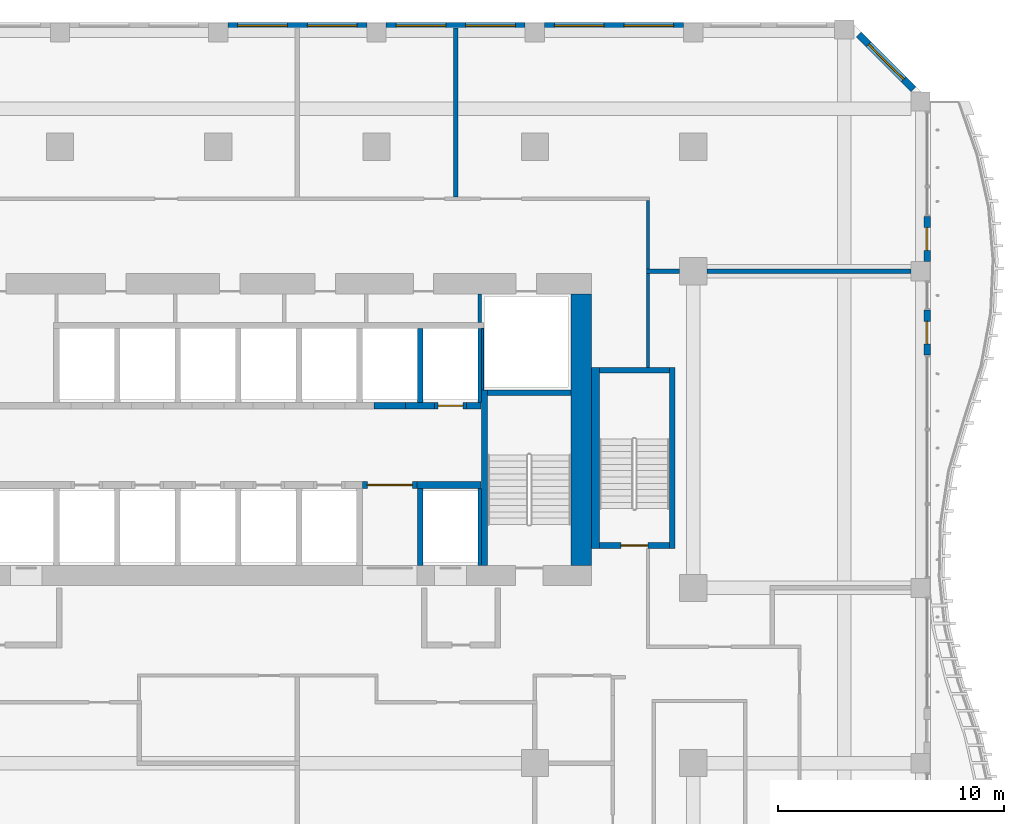
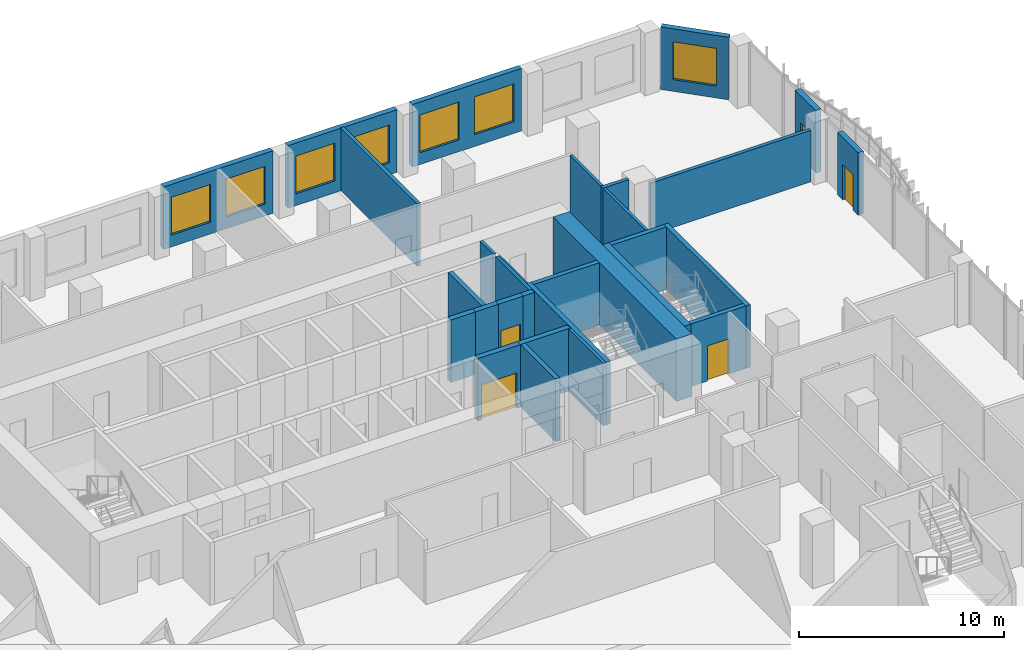
# One storey, part 15 of 25: 30 walls, 7 windows, 5 doors, 12 openings.
"""IFC4 building model written with IfcOpenShell, lengths in metres."""

from ifc_helpers import new_model, si_unit, direction, frame, frame_2d, origin, place, context, subcontext, project, spatial, rectangle, extrude, source, transform, mapped, material, layer, layer_set, type_object, element, fill, save


model = new_model("IFC4")

# Units and contexts
model_context = context("Model", 3, precision=1e-05, world=origin(), true_north=direction((0.0, 1.0)))
body_context = subcontext(model_context, "Body", "Model", "MODEL_VIEW")
ifc_project = project(units=[si_unit("LENGTHUNIT", "METRE"), si_unit("AREAUNIT", "SQUARE_METRE"), si_unit("VOLUMEUNIT", "CUBIC_METRE"), si_unit("PLANEANGLEUNIT", "RADIAN"), si_unit("MASSUNIT", "GRAM", prefix="KILO")], contexts=[model_context])

# Site, building, storey
site_placement = place(None, origin())
site = spatial("IfcSite", under=ifc_project, at=site_placement, CompositionType="ELEMENT")
building_placement = place(site_placement, origin())
building = spatial("IfcBuilding", under=site, at=building_placement, Name="Kilnfold Tower and Market Hall", CompositionType="ELEMENT")
storey_placement = place(building_placement, frame((0.0, 0.0, 120.60009765625)))
storey = spatial("IfcBuildingStorey", under=building, at=storey_placement, Name="L28", CompositionType="ELEMENT", Elevation=120.60009765625)

# Walls
ifc_material_1 = material(Name="Gypsum board on steel studs", Category="steel")
ifc_layer_1 = layer(ifc_material_1, 0.14990234375)
ifc_layer_set_1 = layer_set([ifc_layer_1], Name="Gypsum board on steel studs")
wall_type_1 = type_object("IfcWallType", Name="WALL CORRIDOR 150", PredefinedType="PARTITIONING", material=ifc_layer_set_1)
wall_1_placement = place(storey_placement, frame((20.5, 17.75, 0.0), z_axis=(0.0, 0.0, 1.0), x_axis=(0.0, 1.0, 0.0)))
element("IfcWall", 1, at=wall_1_placement, inside=storey, type_object=wall_type_1, Name="Partition LY17.31", PredefinedType="PARTITIONING", context=body_context, shape_type="SweptSolid", body=[
    extrude(rectangle(XDim=4.159912109375, YDim=0.14990234375, at=frame_2d((2.080078125, 0.0))), origin(), (0.0, 0.0, 1.0), 3.719970703125),
])
wall_2_placement = place(storey_placement, frame((20.5, 22.090087890625, 0.0), z_axis=(0.0, 0.0, 1.0), x_axis=(0.0, 1.0, 0.0)))
element("IfcWall", 2, at=wall_2_placement, inside=storey, type_object=wall_type_1, Name="Partition LY17.34", PredefinedType="PARTITIONING", context=body_context, shape_type="SweptSolid", body=[
    extrude(rectangle(XDim=3.034912109375, YDim=0.14990234375, at=frame_2d((1.517578125, 0.0))), origin(), (0.0, 0.0, 1.0), 3.719970703125),
])
ifc_material_2 = material(Name="Gypsum board on steel studs", Category="steel")
ifc_layer_2 = layer(ifc_material_2, 0.199951171875)
ifc_layer_set_2 = layer_set([ifc_layer_2], Name="Gypsum board on steel studs")
wall_type_2 = type_object("IfcWallType", Name="WALL PARTY 200", PredefinedType="PARTITIONING", material=ifc_layer_set_2)
wall_3_placement = place(storey_placement, frame((20.426025390625, 22.0, 0.0), z_axis=(0.0, 0.0, 1.0), x_axis=(1.0, 0.0, 0.0)))
element("IfcWall", 3, at=wall_3_placement, inside=storey, type_object=wall_type_2, Name="Partition LY17.66", PredefinedType="PARTITIONING", context=body_context, shape_type="SweptSolid", body=[
    extrude(rectangle(XDim=1.473876953125, YDim=0.199951171875, at=frame_2d((0.73681640625, 0.0))), origin(), (0.0, 0.0, 1.0), 3.719970703125),
])
wall_4_placement = place(storey_placement, frame((23.10009765625, 22.0, 0.0), z_axis=(0.0, 0.0, 1.0), x_axis=(1.0, 0.0, 0.0)))
element("IfcWall", 4, at=wall_4_placement, inside=storey, type_object=wall_type_2, Name="Partition LY17.67", PredefinedType="PARTITIONING", context=body_context, shape_type="SweptSolid", body=[
    extrude(rectangle(XDim=9.02490234375, YDim=0.199951171875, at=frame_2d((4.512451171875, 0.0))), origin(), (0.0, 0.0, 1.0), 3.06982421875),
])
wall_5_placement = place(storey_placement, frame((12.0, 25.27587890625, 0.0), z_axis=(0.0, 0.0, 1.0), x_axis=(0.0, 1.0, 0.0)))
element("IfcWall", 5, at=wall_5_placement, inside=storey, type_object=wall_type_2, Name="Partition LY17.68", PredefinedType="PARTITIONING", context=body_context, shape_type="SweptSolid", body=[
    extrude(rectangle(XDim=7.47412109375, YDim=0.199951171875, at=frame_2d((3.737060546875, 0.0))), origin(), (0.0, 0.0, 1.0), 3.719970703125),
])
ifc_material_3 = material(Name="Concrete C70", Category="concrete")
ifc_layer_3 = layer(ifc_material_3, 0.25)
ifc_layer_set_3 = layer_set([ifc_layer_3], Name="Concrete C70")
wall_type_3 = type_object("IfcWallType", Name="CORE WALL 250 C70", PredefinedType="SHEAR", material=ifc_layer_set_3)
shared_shape_1 = source(origin(), body_context, "Body", "SweptSolid", [
    extrude(rectangle(XDim=7.75, YDim=0.25, at=frame_2d((3.875, 0.0))), origin(), (0.0, 0.0, 1.0), 3.719970703125),
])
wall_6_placement = place(storey_placement, frame((13.27490234375, 9.0, 0.0), z_axis=(0.0, 0.0, 1.0), x_axis=(0.0, 1.0, 0.0)))
element("IfcWall", 6, at=wall_6_placement, inside=storey, type_object=wall_type_3, Name="Stair enclosure ST2", PredefinedType="SHEAR", context=body_context, shape_type="MappedRepresentation", body=[
    mapped(shared_shape_1, transform((0.0, 0.0, 0.0))),
])
shared_shape_2 = source(origin(), body_context, "Body", "SweptSolid", [
    extrude(rectangle(XDim=3.7001953125, YDim=0.25, at=frame_2d((1.85009765625, 0.0))), origin(), (0.0, 0.0, 1.0), 3.719970703125),
])
wall_7_placement = place(storey_placement, frame((13.39990234375, 16.625, 0.0), z_axis=(0.0, 0.0, 1.0), x_axis=(1.0, 0.0, 0.0)))
element("IfcWall", 7, at=wall_7_placement, inside=storey, type_object=wall_type_3, Name="Stair enclosure ST2", PredefinedType="SHEAR", context=body_context, shape_type="MappedRepresentation", body=[
    mapped(shared_shape_2, transform((0.0, 0.0, 0.0))),
])
shared_shape_3 = source(origin(), body_context, "Body", "SweptSolid", [
    extrude(rectangle(XDim=8.0, YDim=0.25, at=frame_2d((4.0, 0.0))), origin(), (0.0, 0.0, 1.0), 3.719970703125),
])
wall_8_placement = place(storey_placement, frame((21.574951171875, 9.75, 0.0), z_axis=(0.0, 0.0, 1.0), x_axis=(0.0, 1.0, 0.0)))
element("IfcWall", 8, at=wall_8_placement, inside=storey, type_object=wall_type_3, Name="Stair enclosure ST5", PredefinedType="SHEAR", context=body_context, shape_type="MappedRepresentation", body=[
    mapped(shared_shape_3, transform((0.0, 0.0, 0.0))),
])

# Wall, opening, door
shared_shape_4 = source(origin(), body_context, "Body", "SweptSolid", [
    extrude(rectangle(XDim=3.099853515625, YDim=0.25, at=frame_2d((1.5498046875, 0.0))), origin(), (0.0, 0.0, 1.0), 3.719970703125),
])
wall_9_placement = place(storey_placement, frame((18.35009765625, 9.875, 0.0), z_axis=(0.0, 0.0, 1.0), x_axis=(1.0, 0.0, 0.0)))
wall_9 = element("IfcWall", 9, at=wall_9_placement, inside=storey, type_object=wall_type_3, Name="Stair enclosure ST5", PredefinedType="SHEAR", context=body_context, shape_type="MappedRepresentation", body=[
    mapped(shared_shape_4, transform((0.0, 0.0, 0.0))),
])
opening_1_placement = place(wall_9_placement, frame((0.949951171875, 0.0, 0.0)))
opening_1 = element("IfcOpeningElement", 10, at=opening_1_placement, cuts=wall_9, Name="Opening SD1", PredefinedType="OPENING", context=body_context, shape_type="SweptSolid", body=[
    extrude(rectangle(XDim=1.199951171875, YDim=2.10009765625, at=frame_2d((0.60009765625, 1.050048828125))), frame((0.0, 0.135009765625, 0.0), z_axis=(0.0, -1.0, 0.0), x_axis=(1.0, 0.0, 0.0)), (0.0, 0.0, 1.0), 0.27001953125),
])
ifc_material_4 = material(Name="Steel door set with fire-resisting leaf", Category="steel")
door_type_1 = type_object("IfcDoorType", Name="STAIR FLOOR DOOR 1200X2100", OperationType="NOTDEFINED", PredefinedType="DOOR", material=ifc_material_4)
door_1_placement = place(opening_1_placement, origin())
door_1 = element("IfcDoor", 11, at=door_1_placement, inside=storey, type_object=door_type_1, Name="Exit stair ST5 door", OperationType="DOUBLE_DOOR_SINGLE_SWING", OverallHeight=2.10009765625, OverallWidth=1.199951171875, PredefinedType="DOOR", context=body_context, shape_type="SweptSolid", body=[
    extrude(rectangle(XDim=1.199951171875, YDim=2.10009765625, at=frame_2d((0.60009765625, 1.050048828125))), frame((0.0, 0.02490234375, 0.0), z_axis=(0.0, -1.0, 0.0), x_axis=(1.0, 0.0, 0.0)), (0.0, 0.0, 1.0), 0.050048828125),
])
fill(opening_1, door_1)

# Walls
wall_10_placement = place(storey_placement, frame((18.35009765625, 17.625, 0.0), z_axis=(0.0, 0.0, 1.0), x_axis=(1.0, 0.0, 0.0)))
element("IfcWall", 12, at=wall_10_placement, inside=storey, type_object=wall_type_3, Name="Stair enclosure ST5", PredefinedType="SHEAR", context=body_context, shape_type="MappedRepresentation", body=[
    mapped(shared_shape_4, transform((0.0, 0.0, 0.0))),
])
ifc_material_5 = material(Name="Concrete C70", Category="concrete")
ifc_layer_4 = layer(ifc_material_5, 0.300048828125)
ifc_layer_set_4 = layer_set([ifc_layer_4], Name="Concrete C70")
wall_type_4 = type_object("IfcWallType", Name="CORE WALL 300 C70", PredefinedType="SHEAR", material=ifc_layer_set_4)
shared_shape_5 = source(origin(), body_context, "Body", "SweptSolid", [
    extrude(rectangle(XDim=1.280029296875, YDim=0.300048828125, at=frame_2d((0.64013671875, 0.0))), origin(), (0.0, 0.0, 1.0), 3.719970703125),
])
wall_11_placement = place(storey_placement, frame((9.7900390625, 16.050048828125, 0.0), z_axis=(0.0, 0.0, 1.0), x_axis=(1.0, 0.0, 0.0)))
element("IfcWall", 13, at=wall_11_placement, inside=storey, type_object=wall_type_4, Name="Core spine wall", PredefinedType="SHEAR", context=body_context, shape_type="MappedRepresentation", body=[
    mapped(shared_shape_5, transform((0.0, 0.0, 0.0))),
])
shared_shape_6 = source(origin(), body_context, "Body", "SweptSolid", [
    extrude(rectangle(XDim=2.820068359375, YDim=0.300048828125, at=frame_2d((1.41015625, 0.0))), origin(), (0.0, 0.0, 1.0), 3.719970703125),
])
wall_12_placement = place(storey_placement, frame((10.2900390625, 12.550048828125, 0.0), z_axis=(0.0, 0.0, 1.0), x_axis=(1.0, 0.0, 0.0)))
element("IfcWall", 14, at=wall_12_placement, inside=storey, type_object=wall_type_4, Name="Core spine wall", PredefinedType="SHEAR", context=body_context, shape_type="MappedRepresentation", body=[
    mapped(shared_shape_6, transform((0.0, 0.0, 0.0))),
])
shared_shape_7 = source(origin(), body_context, "Body", "SweptSolid", [
    extrude(rectangle(XDim=0.64013671875, YDim=0.300048828125, at=frame_2d((0.320068359375, 0.0))), origin(), (0.0, 0.0, 1.0), 3.719970703125),
])
wall_13_placement = place(storey_placement, frame((12.469970703125, 16.050048828125, 0.0), z_axis=(0.0, 0.0, 1.0), x_axis=(1.0, 0.0, 0.0)))
element("IfcWall", 15, at=wall_13_placement, inside=storey, type_object=wall_type_4, Name="Core spine wall", PredefinedType="SHEAR", context=body_context, shape_type="MappedRepresentation", body=[
    mapped(shared_shape_7, transform((0.0, 0.0, 0.0))),
])
ifc_material_6 = material(Name="Concrete C70", Category="concrete")
ifc_layer_5 = layer(ifc_material_6, 0.89990234375)
ifc_layer_set_5 = layer_set([ifc_layer_5], Name="Concrete C70")
wall_type_5 = type_object("IfcWallType", Name="CORE WALL 900 C70", PredefinedType="SHEAR", material=ifc_layer_set_5)
shared_shape_8 = source(origin(), body_context, "Body", "SweptSolid", [
    extrude(rectangle(XDim=12.0, YDim=0.89990234375, at=frame_2d((6.0, 0.0))), origin(), (0.0, 0.0, 1.0), 3.719970703125),
])
wall_14_placement = place(storey_placement, frame((17.550048828125, 9.0, 0.0), z_axis=(0.0, 0.0, 1.0), x_axis=(0.0, 1.0, 0.0)))
element("IfcWall", 16, at=wall_14_placement, inside=storey, type_object=wall_type_5, Name="Core outer wall east", PredefinedType="SHEAR", context=body_context, shape_type="MappedRepresentation", body=[
    mapped(shared_shape_8, transform((0.0, 0.0, 0.0))),
])
ifc_material_7 = material(Name="Concrete C70", Category="concrete")
ifc_layer_6 = layer(ifc_material_7, 0.35009765625)
ifc_layer_set_6 = layer_set([ifc_layer_6], Name="Concrete C70")
wall_type_6 = type_object("IfcWallType", Name="CORE WALL 350 C70", PredefinedType="SHEAR", material=ifc_layer_set_6)
shared_shape_9 = source(origin(), body_context, "Body", "SweptSolid", [
    extrude(rectangle(XDim=8.0, YDim=0.35009765625, at=frame_2d((4.0, 0.0))), origin(), (0.0, 0.0, 1.0), 3.719970703125),
])
wall_15_placement = place(storey_placement, frame((18.175048828125, 9.75, 0.0), z_axis=(0.0, 0.0, 1.0), x_axis=(0.0, 1.0, 0.0)))
element("IfcWall", 17, at=wall_15_placement, inside=storey, type_object=wall_type_6, Name="Stair enclosure ST5", PredefinedType="SHEAR", context=body_context, shape_type="MappedRepresentation", body=[
    mapped(shared_shape_9, transform((0.0, 0.0, 0.0))),
])

# Wall, opening, door
ifc_material_8 = material(Name="Precast concrete C50/60", Category="concrete")
ifc_layer_7 = layer(ifc_material_8, 0.300048828125)
ifc_layer_set_7 = layer_set([ifc_layer_7], Name="Precast concrete C50/60")
wall_type_7 = type_object("IfcWallType", Name="PRECAST WALL 300", PredefinedType="SOLIDWALL", material=ifc_layer_set_7)
shared_shape_10 = source(origin(), body_context, "Body", "SweptSolid", [
    extrude(rectangle(XDim=2.0, YDim=0.300048828125, at=frame_2d((1.0, 0.0))), origin(), (0.0, 0.0, 1.0), 3.719970703125),
])
wall_16_placement = place(storey_placement, frame((32.85009765625, 18.28759765625, 0.0), z_axis=(0.0, 0.0, 1.0), x_axis=(0.0, 1.0, 0.0)))
wall_16 = element("IfcWall", 18, at=wall_16_placement, inside=storey, type_object=wall_type_7, Name="External wall L28 E", PredefinedType="SOLIDWALL", context=body_context, shape_type="MappedRepresentation", body=[
    mapped(shared_shape_10, transform((0.0, 0.0, 0.0))),
])
opening_2_placement = place(wall_16_placement, frame((0.5, 0.0, 0.0)))
opening_2 = element("IfcOpeningElement", 19, at=opening_2_placement, cuts=wall_16, Name="Opening BD1", PredefinedType="OPENING", context=body_context, shape_type="SweptSolid", body=[
    extrude(rectangle(XDim=1.0, YDim=2.10009765625, at=frame_2d((0.5, 1.050048828125))), frame((0.0, 0.16015625, 0.0), z_axis=(0.0, -1.0, 0.0), x_axis=(1.0, 0.0, 0.0)), (0.0, 0.0, 1.0), 0.320068359375),
])
ifc_material_9 = material(Name="Aluminium frame and double glazing", Category="aluminium")
door_type_2 = type_object("IfcDoorType", Name="BALCONY DOOR 1000X2100", OperationType="NOTDEFINED", PredefinedType="DOOR", material=ifc_material_9)
door_2_placement = place(opening_2_placement, origin())
door_2 = element("IfcDoor", 20, at=door_2_placement, inside=storey, type_object=door_type_2, Name="Balcony door BD1 L28 E-4", OperationType="SINGLE_SWING_RIGHT", OverallHeight=2.10009765625, OverallWidth=1.0, PredefinedType="DOOR", context=body_context, shape_type="SweptSolid", body=[
    extrude(rectangle(XDim=1.0, YDim=2.10009765625, at=frame_2d((0.5, 1.050048828125))), frame((0.0, 0.02490234375, 0.0), z_axis=(0.0, -1.0, 0.0), x_axis=(1.0, 0.0, 0.0)), (0.0, 0.0, 1.0), 0.050048828125),
])
fill(opening_2, door_2)

wall_17_placement = place(storey_placement, frame((32.85009765625, 22.425048828125, 0.0), z_axis=(0.0, 0.0, 1.0), x_axis=(0.0, 1.0, 0.0)))
wall_17 = element("IfcWall", 21, at=wall_17_placement, inside=storey, type_object=wall_type_7, Name="External wall L28 E", PredefinedType="SOLIDWALL", context=body_context, shape_type="MappedRepresentation", body=[
    mapped(shared_shape_10, transform((0.0, 0.0, 0.0))),
])
opening_3_placement = place(wall_17_placement, frame((0.5, 0.0, 0.0)))
opening_3 = element("IfcOpeningElement", 22, at=opening_3_placement, cuts=wall_17, Name="Opening BD1", PredefinedType="OPENING", context=body_context, shape_type="SweptSolid", body=[
    extrude(rectangle(XDim=1.0, YDim=2.10009765625, at=frame_2d((0.5, 1.050048828125))), frame((0.0, 0.16015625, 0.0), z_axis=(0.0, -1.0, 0.0), x_axis=(1.0, 0.0, 0.0)), (0.0, 0.0, 1.0), 0.320068359375),
])
door_3_placement = place(opening_3_placement, origin())
door_3 = element("IfcDoor", 23, at=door_3_placement, inside=storey, type_object=door_type_2, Name="Balcony door BD1 L28 E-1", OperationType="SINGLE_SWING_LEFT", OverallHeight=2.10009765625, OverallWidth=1.0, PredefinedType="DOOR", context=body_context, shape_type="SweptSolid", body=[
    extrude(rectangle(XDim=1.0, YDim=2.10009765625, at=frame_2d((0.5, 1.050048828125))), frame((0.0, 0.02490234375, 0.0), z_axis=(0.0, -1.0, 0.0), x_axis=(1.0, 0.0, 0.0)), (0.0, 0.0, 1.0), 0.050048828125),
])
fill(opening_3, door_3)

# Wall, opening, window
shared_shape_11 = source(origin(), body_context, "Body", "SweptSolid", [
    extrude(rectangle(XDim=3.429443359375, YDim=0.300048828125, at=frame_2d((1.71484375, 0.0))), origin(), (0.0, 0.0, 1.0), 3.719970703125),
])
wall_18_placement = place(storey_placement, frame((32.243896484375, 30.0439453125, 0.0), z_axis=(0.0, 0.0, 1.0), x_axis=(-0.707106781187, 0.707106781187, 0.0)))
wall_18 = element("IfcWall", 24, at=wall_18_placement, inside=storey, type_object=wall_type_7, Name="External wall L28 NE", PredefinedType="SOLIDWALL", context=body_context, shape_type="MappedRepresentation", body=[
    mapped(shared_shape_11, transform((0.0, 0.0, 0.0))),
])
opening_4_placement = place(wall_18_placement, frame((0.61474609375, 0.0, 0.699951171875)))
opening_4 = element("IfcOpeningElement", 25, at=opening_4_placement, cuts=wall_18, Name="Opening W1", PredefinedType="OPENING", context=body_context, shape_type="SweptSolid", body=[
    extrude(rectangle(XDim=2.199951171875, YDim=2.25, at=frame_2d((1.10009765625, 1.125))), frame((0.0, 0.16015625, 0.0), z_axis=(0.0, -1.0, 0.0), x_axis=(1.0, 0.0, 0.0)), (0.0, 0.0, 1.0), 0.320068359375),
])
ifc_material_10 = material(Name="Aluminium frame and double glazing", Category="aluminium")
window_type = type_object("IfcWindowType", Name="WINDOW W1 2200X2250", PartitioningType="SINGLE_PANEL", PredefinedType="WINDOW", material=ifc_material_10)
window_1_placement = place(opening_4_placement, origin())
window_1 = element("IfcWindow", 26, at=window_1_placement, inside=storey, type_object=window_type, Name="Window W1 L28 NE-1", OverallHeight=2.25, OverallWidth=2.199951171875, PartitioningType="SINGLE_PANEL", PredefinedType="WINDOW", context=body_context, shape_type="SweptSolid", body=[
    extrude(rectangle(XDim=2.199951171875, YDim=2.25, at=frame_2d((1.10009765625, 1.125))), frame((0.0, 0.030029296875, 0.0), z_axis=(0.0, -1.0, 0.0), x_axis=(1.0, 0.0, 0.0)), (0.0, 0.0, 1.0), 0.06005859375),
])
fill(opening_4, window_1)

# Wall, openings, windows
shared_shape_12 = source(origin(), body_context, "Body", "SweptSolid", [
    extrude(rectangle(XDim=6.14990234375, YDim=0.300048828125, at=frame_2d((3.074951171875, 0.0))), origin(), (0.0, 0.0, 1.0), 3.719970703125),
])
wall_19_placement = place(storey_placement, frame((22.074951171875, 32.85009765625, 0.0), z_axis=(0.0, 0.0, 1.0), x_axis=(-1.0, 0.0, 0.0)))
wall_19 = element("IfcWall", 27, at=wall_19_placement, inside=storey, type_object=wall_type_7, Name="External wall L28 N", PredefinedType="SOLIDWALL", context=body_context, shape_type="MappedRepresentation", body=[
    mapped(shared_shape_12, transform((0.0, 0.0, 0.0))),
])
opening_5_placement = place(wall_19_placement, frame((0.4375, 0.0, 0.699951171875)))
opening_5 = element("IfcOpeningElement", 28, at=opening_5_placement, cuts=wall_19, Name="Opening W1", PredefinedType="OPENING", context=body_context, shape_type="SweptSolid", body=[
    extrude(rectangle(XDim=2.199951171875, YDim=2.25, at=frame_2d((1.10009765625, 1.125))), frame((0.0, 0.16015625, 0.0), z_axis=(0.0, -1.0, 0.0), x_axis=(1.0, 0.0, 0.0)), (0.0, 0.0, 1.0), 0.320068359375),
])
opening_6_placement = place(wall_19_placement, frame((3.512451171875, 0.0, 0.699951171875)))
opening_6 = element("IfcOpeningElement", 29, at=opening_6_placement, cuts=wall_19, Name="Opening W1", PredefinedType="OPENING", context=body_context, shape_type="SweptSolid", body=[
    extrude(rectangle(XDim=2.199951171875, YDim=2.25, at=frame_2d((1.10009765625, 1.125))), frame((0.0, 0.16015625, 0.0), z_axis=(0.0, -1.0, 0.0), x_axis=(1.0, 0.0, 0.0)), (0.0, 0.0, 1.0), 0.320068359375),
])
window_2_placement = place(opening_5_placement, origin())
window_2 = element("IfcWindow", 30, at=window_2_placement, inside=storey, type_object=window_type, Name="Window W1 L28 N-1", OverallHeight=2.25, OverallWidth=2.199951171875, PartitioningType="SINGLE_PANEL", PredefinedType="WINDOW", context=body_context, shape_type="SweptSolid", body=[
    extrude(rectangle(XDim=2.199951171875, YDim=2.25, at=frame_2d((1.10009765625, 1.125))), frame((0.0, 0.030029296875, 0.0), z_axis=(0.0, -1.0, 0.0), x_axis=(1.0, 0.0, 0.0)), (0.0, 0.0, 1.0), 0.06005859375),
])
fill(opening_5, window_2)
window_3_placement = place(opening_6_placement, origin())
window_3 = element("IfcWindow", 31, at=window_3_placement, inside=storey, type_object=window_type, Name="Window W1 L28 N-2", OverallHeight=2.25, OverallWidth=2.199951171875, PartitioningType="SINGLE_PANEL", PredefinedType="WINDOW", context=body_context, shape_type="SweptSolid", body=[
    extrude(rectangle(XDim=2.199951171875, YDim=2.25, at=frame_2d((1.10009765625, 1.125))), frame((0.0, 0.030029296875, 0.0), z_axis=(0.0, -1.0, 0.0), x_axis=(1.0, 0.0, 0.0)), (0.0, 0.0, 1.0), 0.06005859375),
])
fill(opening_6, window_3)

wall_20_placement = place(storey_placement, frame((15.074951171875, 32.85009765625, 0.0), z_axis=(0.0, 0.0, 1.0), x_axis=(-1.0, 0.0, 0.0)))
wall_20 = element("IfcWall", 32, at=wall_20_placement, inside=storey, type_object=wall_type_7, Name="External wall L28 N", PredefinedType="SOLIDWALL", context=body_context, shape_type="MappedRepresentation", body=[
    mapped(shared_shape_12, transform((0.0, 0.0, 0.0))),
])
opening_7_placement = place(wall_20_placement, frame((0.4375, 0.0, 0.699951171875)))
opening_7 = element("IfcOpeningElement", 33, at=opening_7_placement, cuts=wall_20, Name="Opening W1", PredefinedType="OPENING", context=body_context, shape_type="SweptSolid", body=[
    extrude(rectangle(XDim=2.199951171875, YDim=2.25, at=frame_2d((1.10009765625, 1.125))), frame((0.0, 0.16015625, 0.0), z_axis=(0.0, -1.0, 0.0), x_axis=(1.0, 0.0, 0.0)), (0.0, 0.0, 1.0), 0.320068359375),
])
opening_8_placement = place(wall_20_placement, frame((3.512451171875, 0.0, 0.699951171875)))
opening_8 = element("IfcOpeningElement", 34, at=opening_8_placement, cuts=wall_20, Name="Opening W1", PredefinedType="OPENING", context=body_context, shape_type="SweptSolid", body=[
    extrude(rectangle(XDim=2.199951171875, YDim=2.25, at=frame_2d((1.10009765625, 1.125))), frame((0.0, 0.16015625, 0.0), z_axis=(0.0, -1.0, 0.0), x_axis=(1.0, 0.0, 0.0)), (0.0, 0.0, 1.0), 0.320068359375),
])
window_4_placement = place(opening_7_placement, origin())
window_4 = element("IfcWindow", 35, at=window_4_placement, inside=storey, type_object=window_type, Name="Window W1 L28 N-1", OverallHeight=2.25, OverallWidth=2.199951171875, PartitioningType="SINGLE_PANEL", PredefinedType="WINDOW", context=body_context, shape_type="SweptSolid", body=[
    extrude(rectangle(XDim=2.199951171875, YDim=2.25, at=frame_2d((1.10009765625, 1.125))), frame((0.0, 0.030029296875, 0.0), z_axis=(0.0, -1.0, 0.0), x_axis=(1.0, 0.0, 0.0)), (0.0, 0.0, 1.0), 0.06005859375),
])
fill(opening_7, window_4)
window_5_placement = place(opening_8_placement, origin())
window_5 = element("IfcWindow", 36, at=window_5_placement, inside=storey, type_object=window_type, Name="Window W1 L28 N-2", OverallHeight=2.25, OverallWidth=2.199951171875, PartitioningType="SINGLE_PANEL", PredefinedType="WINDOW", context=body_context, shape_type="SweptSolid", body=[
    extrude(rectangle(XDim=2.199951171875, YDim=2.25, at=frame_2d((1.10009765625, 1.125))), frame((0.0, 0.030029296875, 0.0), z_axis=(0.0, -1.0, 0.0), x_axis=(1.0, 0.0, 0.0)), (0.0, 0.0, 1.0), 0.06005859375),
])
fill(opening_8, window_5)

wall_21_placement = place(storey_placement, frame((8.074951171875, 32.85009765625, 0.0), z_axis=(0.0, 0.0, 1.0), x_axis=(-1.0, 0.0, 0.0)))
wall_21 = element("IfcWall", 37, at=wall_21_placement, inside=storey, type_object=wall_type_7, Name="External wall L28 N", PredefinedType="SOLIDWALL", context=body_context, shape_type="MappedRepresentation", body=[
    mapped(shared_shape_12, transform((0.0, 0.0, 0.0))),
])
opening_9_placement = place(wall_21_placement, frame((0.4375, 0.0, 0.699951171875)))
opening_9 = element("IfcOpeningElement", 38, at=opening_9_placement, cuts=wall_21, Name="Opening W1", PredefinedType="OPENING", context=body_context, shape_type="SweptSolid", body=[
    extrude(rectangle(XDim=2.199951171875, YDim=2.25, at=frame_2d((1.10009765625, 1.125))), frame((0.0, 0.16015625, 0.0), z_axis=(0.0, -1.0, 0.0), x_axis=(1.0, 0.0, 0.0)), (0.0, 0.0, 1.0), 0.320068359375),
])
opening_10_placement = place(wall_21_placement, frame((3.512451171875, 0.0, 0.699951171875)))
opening_10 = element("IfcOpeningElement", 39, at=opening_10_placement, cuts=wall_21, Name="Opening W1", PredefinedType="OPENING", context=body_context, shape_type="SweptSolid", body=[
    extrude(rectangle(XDim=2.199951171875, YDim=2.25, at=frame_2d((1.10009765625, 1.125))), frame((0.0, 0.16015625, 0.0), z_axis=(0.0, -1.0, 0.0), x_axis=(1.0, 0.0, 0.0)), (0.0, 0.0, 1.0), 0.320068359375),
])
window_6_placement = place(opening_9_placement, origin())
window_6 = element("IfcWindow", 40, at=window_6_placement, inside=storey, type_object=window_type, Name="Window W1 L28 N-1", OverallHeight=2.25, OverallWidth=2.199951171875, PartitioningType="SINGLE_PANEL", PredefinedType="WINDOW", context=body_context, shape_type="SweptSolid", body=[
    extrude(rectangle(XDim=2.199951171875, YDim=2.25, at=frame_2d((1.10009765625, 1.125))), frame((0.0, 0.030029296875, 0.0), z_axis=(0.0, -1.0, 0.0), x_axis=(1.0, 0.0, 0.0)), (0.0, 0.0, 1.0), 0.06005859375),
])
fill(opening_9, window_6)
window_7_placement = place(opening_10_placement, origin())
window_7 = element("IfcWindow", 41, at=window_7_placement, inside=storey, type_object=window_type, Name="Window W1 L28 N-2", OverallHeight=2.25, OverallWidth=2.199951171875, PartitioningType="SINGLE_PANEL", PredefinedType="WINDOW", context=body_context, shape_type="SweptSolid", body=[
    extrude(rectangle(XDim=2.199951171875, YDim=2.25, at=frame_2d((1.10009765625, 1.125))), frame((0.0, 0.030029296875, 0.0), z_axis=(0.0, -1.0, 0.0), x_axis=(1.0, 0.0, 0.0)), (0.0, 0.0, 1.0), 0.06005859375),
])
fill(opening_10, window_7)

# Wall, opening, door
ifc_material_11 = material(Name="Gypsum shaft wall system")
ifc_layer_8 = layer(ifc_material_11, 0.300048828125)
ifc_layer_set_8 = layer_set([ifc_layer_8], Name="Gypsum shaft wall system")
wall_type_8 = type_object("IfcWallType", Name="SHAFT WALL 300", PredefinedType="PARTITIONING", material=ifc_layer_set_8)
shared_shape_13 = source(origin(), body_context, "Body", "SweptSolid", [
    extrude(rectangle(XDim=1.39990234375, YDim=0.300048828125, at=frame_2d((0.699951171875, 0.0))), origin(), (0.0, 0.0, 1.0), 3.719970703125),
])
wall_22_placement = place(storey_placement, frame((11.070068359375, 16.050048828125, 0.0), z_axis=(0.0, 0.0, 1.0), x_axis=(1.0, 0.0, 0.0)))
wall_22 = element("IfcWall", 42, at=wall_22_placement, inside=storey, type_object=wall_type_8, Name="Lift shaft front wall", PredefinedType="PARTITIONING", context=body_context, shape_type="MappedRepresentation", body=[
    mapped(shared_shape_13, transform((0.0, 0.0, 0.0))),
])
opening_11_placement = place(wall_22_placement, frame((0.14990234375, 0.0, 0.0)))
opening_11 = element("IfcOpeningElement", 43, at=opening_11_placement, cuts=wall_22, Name="Opening LD2", PredefinedType="OPENING", context=body_context, shape_type="SweptSolid", body=[
    extrude(rectangle(XDim=1.10009765625, YDim=2.10009765625, at=frame_2d((0.550048828125, 1.050048828125))), frame((0.0, 0.16015625, 0.0), z_axis=(0.0, -1.0, 0.0), x_axis=(1.0, 0.0, 0.0)), (0.0, 0.0, 1.0), 0.320068359375),
])
ifc_material_12 = material(Name="Steel door set with fire-resisting leaf", Category="steel")
door_type_3 = type_object("IfcDoorType", Name="LANDING DOOR 1100X2100", OperationType="NOTDEFINED", PredefinedType="DOOR", material=ifc_material_12)
door_4_placement = place(opening_11_placement, origin())
door_4 = element("IfcDoor", 44, at=door_4_placement, inside=storey, type_object=door_type_3, Name="Landing door LR6", OperationType="DOUBLE_DOOR_SLIDING", OverallHeight=2.10009765625, OverallWidth=1.10009765625, PredefinedType="DOOR", context=body_context, shape_type="SweptSolid", body=[
    extrude(rectangle(XDim=1.10009765625, YDim=2.10009765625, at=frame_2d((0.550048828125, 1.050048828125))), frame((0.0, 0.02490234375, 0.0), z_axis=(0.0, -1.0, 0.0), x_axis=(1.0, 0.0, 0.0)), (0.0, 0.0, 1.0), 0.050048828125),
])
fill(opening_11, door_4)

# Wall
shared_shape_14 = source(origin(), body_context, "Body", "SweptSolid", [
    extrude(rectangle(XDim=1.400146484375, YDim=0.300048828125, at=frame_2d((0.7001953125, 0.0))), origin(), (0.0, 0.0, 1.0), 3.719970703125),
])
wall_23_placement = place(storey_placement, frame((8.389892578125, 16.050048828125, 0.0), z_axis=(0.0, 0.0, 1.0), x_axis=(1.0, 0.0, 0.0)))
element("IfcWall", 45, at=wall_23_placement, inside=storey, type_object=wall_type_8, Name="Lift shaft front wall", PredefinedType="PARTITIONING", context=body_context, shape_type="MappedRepresentation", body=[
    mapped(shared_shape_14, transform((0.0, 0.0, 0.0))),
])

# Wall, opening, door
shared_shape_15 = source(origin(), body_context, "Body", "SweptSolid", [
    extrude(rectangle(XDim=2.400146484375, YDim=0.300048828125, at=frame_2d((1.2001953125, 0.0))), origin(), (0.0, 0.0, 1.0), 3.719970703125),
])
wall_24_placement = place(storey_placement, frame((7.889892578125, 12.550048828125, 0.0), z_axis=(0.0, 0.0, 1.0), x_axis=(1.0, 0.0, 0.0)))
wall_24 = element("IfcWall", 46, at=wall_24_placement, inside=storey, type_object=wall_type_8, Name="Lift shaft front wall", PredefinedType="PARTITIONING", context=body_context, shape_type="MappedRepresentation", body=[
    mapped(shared_shape_15, transform((0.0, 0.0, 0.0))),
])
opening_12_placement = place(wall_24_placement, frame((0.199951171875, 0.0, 0.0)))
opening_12 = element("IfcOpeningElement", 47, at=opening_12_placement, cuts=wall_24, Name="Opening VD2", PredefinedType="OPENING", context=body_context, shape_type="SweptSolid", body=[
    extrude(rectangle(XDim=2.0, YDim=2.10009765625, at=frame_2d((1.0, 1.050048828125))), frame((0.0, 0.16015625, 0.0), z_axis=(0.0, -1.0, 0.0), x_axis=(1.0, 0.0, 0.0)), (0.0, 0.0, 1.0), 0.320068359375),
])
ifc_material_13 = material(Name="Steel door set with fire-resisting leaf", Category="steel")
door_type_4 = type_object("IfcDoorType", Name="LIFT LOBBY ENTRANCE DOOR 2000X2100", OperationType="NOTDEFINED", PredefinedType="DOOR", material=ifc_material_13)
door_5_placement = place(opening_12_placement, origin())
door_5 = element("IfcDoor", 48, at=door_5_placement, inside=storey, type_object=door_type_4, Name="Lift lobby entrance door", OperationType="DOUBLE_DOOR_SINGLE_SWING", OverallHeight=2.10009765625, OverallWidth=2.0, PredefinedType="DOOR", context=body_context, shape_type="SweptSolid", body=[
    extrude(rectangle(XDim=2.0, YDim=2.10009765625, at=frame_2d((1.0, 1.050048828125))), frame((0.0, 0.02490234375, 0.0), z_axis=(0.0, -1.0, 0.0), x_axis=(1.0, 0.0, 0.0)), (0.0, 0.0, 1.0), 0.050048828125),
])
fill(opening_12, door_5)

# Walls
ifc_material_14 = material(Name="Gypsum shaft wall system")
ifc_layer_9 = layer(ifc_material_14, 0.1650390625)
ifc_layer_set_9 = layer_set([ifc_layer_9], Name="Gypsum shaft wall system")
wall_type_9 = type_object("IfcWallType", Name="SHAFT WALL 165", PredefinedType="PARTITIONING", material=ifc_layer_set_9)
shared_shape_16 = source(origin(), body_context, "Body", "SweptSolid", [
    extrude(rectangle(XDim=3.275146484375, YDim=0.1650390625, at=frame_2d((1.6376953125, 0.0))), origin(), (0.0, 0.0, 1.0), 3.719970703125),
])
wall_25_placement = place(storey_placement, frame((13.0673828125, 16.199951171875, 0.0), z_axis=(0.0, 0.0, 1.0), x_axis=(0.0, 1.0, 0.0)))
element("IfcWall", 49, at=wall_25_placement, inside=storey, type_object=wall_type_9, Name="Lift shaft wall", PredefinedType="PARTITIONING", context=body_context, shape_type="MappedRepresentation", body=[
    mapped(shared_shape_16, transform((0.0, 0.0, 0.0))),
])
shared_shape_17 = source(origin(), body_context, "Body", "SweptSolid", [
    extrude(rectangle(XDim=1.27490234375, YDim=0.1650390625, at=frame_2d((0.637451171875, 0.0))), origin(), (0.0, 0.0, 1.0), 3.719970703125),
])
wall_26_placement = place(storey_placement, frame((13.0673828125, 19.72509765625, 0.0), z_axis=(0.0, 0.0, 1.0), x_axis=(0.0, 1.0, 0.0)))
element("IfcWall", 50, at=wall_26_placement, inside=storey, type_object=wall_type_9, Name="Lift shaft wall", PredefinedType="PARTITIONING", context=body_context, shape_type="MappedRepresentation", body=[
    mapped(shared_shape_17, transform((0.0, 0.0, 0.0))),
])
ifc_material_15 = material(Name="Gypsum shaft wall system")
ifc_layer_10 = layer(ifc_material_15, 0.25)
ifc_layer_set_10 = layer_set([ifc_layer_10], Name="Gypsum shaft wall system")
wall_type_10 = type_object("IfcWallType", Name="SHAFT WALL 250", PredefinedType="PARTITIONING", material=ifc_layer_set_10)
shared_shape_18 = source(origin(), body_context, "Body", "SweptSolid", [
    extrude(rectangle(XDim=3.275146484375, YDim=0.25, at=frame_2d((1.6376953125, 0.0))), origin(), (0.0, 0.0, 1.0), 3.719970703125),
])
wall_27_placement = place(storey_placement, frame((10.429931640625, 16.199951171875, 0.0), z_axis=(0.0, 0.0, 1.0), x_axis=(0.0, 1.0, 0.0)))
element("IfcWall", 51, at=wall_27_placement, inside=storey, type_object=wall_type_10, Name="Lift shaft wall", PredefinedType="PARTITIONING", context=body_context, shape_type="MappedRepresentation", body=[
    mapped(shared_shape_18, transform((0.0, 0.0, 0.0))),
])
ifc_material_16 = material(Name="Gypsum shaft wall system")
ifc_layer_11 = layer(ifc_material_16, 0.0849609375)
ifc_layer_set_11 = layer_set([ifc_layer_11], Name="Gypsum shaft wall system")
wall_type_11 = type_object("IfcWallType", Name="SHAFT WALL 85", PredefinedType="PARTITIONING", material=ifc_layer_set_11)
shared_shape_19 = source(origin(), body_context, "Body", "SweptSolid", [
    extrude(rectangle(XDim=2.72509765625, YDim=0.0849609375, at=frame_2d((1.362548828125, 0.0))), origin(), (0.0, 0.0, 1.0), 3.719970703125),
])
wall_28_placement = place(storey_placement, frame((13.1923828125, 16.75, 0.0), z_axis=(0.0, 0.0, 1.0), x_axis=(0.0, 1.0, 0.0)))
element("IfcWall", 52, at=wall_28_placement, inside=storey, type_object=wall_type_11, Name="Lift shaft wall", PredefinedType="PARTITIONING", context=body_context, shape_type="MappedRepresentation", body=[
    mapped(shared_shape_19, transform((0.0, 0.0, 0.0))),
])
shared_shape_20 = source(origin(), body_context, "Body", "SweptSolid", [
    extrude(rectangle(XDim=3.39990234375, YDim=0.25, at=frame_2d((1.699951171875, 0.0))), origin(), (0.0, 0.0, 1.0), 3.719970703125),
])
wall_29_placement = place(storey_placement, frame((10.429931640625, 9.0, 0.0), z_axis=(0.0, 0.0, 1.0), x_axis=(0.0, 1.0, 0.0)))
element("IfcWall", 53, at=wall_29_placement, inside=storey, type_object=wall_type_10, Name="Lift shaft wall", PredefinedType="PARTITIONING", context=body_context, shape_type="MappedRepresentation", body=[
    mapped(shared_shape_20, transform((0.0, 0.0, 0.0))),
])
shared_shape_21 = source(origin(), body_context, "Body", "SweptSolid", [
    extrude(rectangle(XDim=3.39990234375, YDim=0.1650390625, at=frame_2d((1.699951171875, 0.0))), origin(), (0.0, 0.0, 1.0), 3.719970703125),
])
wall_30_placement = place(storey_placement, frame((13.0673828125, 9.0, 0.0), z_axis=(0.0, 0.0, 1.0), x_axis=(0.0, 1.0, 0.0)))
element("IfcWall", 54, at=wall_30_placement, inside=storey, type_object=wall_type_9, Name="Lift shaft wall", PredefinedType="PARTITIONING", context=body_context, shape_type="MappedRepresentation", body=[
    mapped(shared_shape_21, transform((0.0, 0.0, 0.0))),
])

save(model, "model.ifc")
